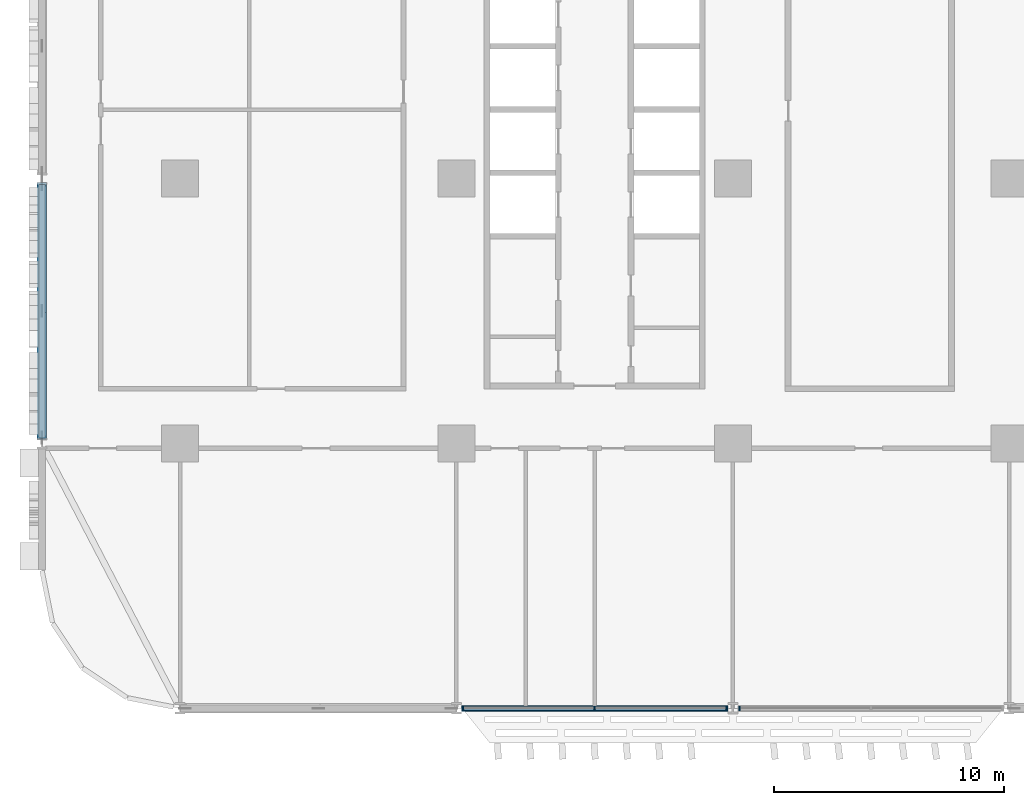
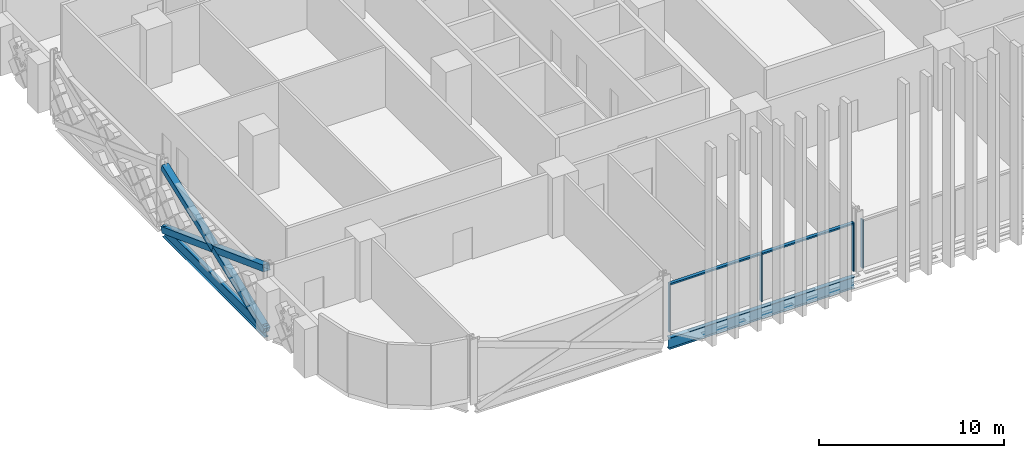
# One storey, part 2 of 29: 9 members, 2 beams, 2 elements without a shape of their own.
"""IFC4 building model written with IfcOpenShell, lengths in metres."""

from ifc_helpers import new_model, si_unit, direction, frame, origin, origin_2d, place, context, subcontext, project, spatial, rectangle, hollow_rectangle, i_section, extrude, material, material_profile, profile_set, type_object, element, aggregate, save


model = new_model("IFC4")

# Units and contexts
model_context = context("Model", 3, precision=1e-05, world=origin(), true_north=direction((0.0, 1.0)))
body_context = subcontext(model_context, "Body", "Model", "MODEL_VIEW")
ifc_project = project(units=[si_unit("LENGTHUNIT", "METRE"), si_unit("AREAUNIT", "SQUARE_METRE"), si_unit("VOLUMEUNIT", "CUBIC_METRE"), si_unit("PLANEANGLEUNIT", "RADIAN"), si_unit("MASSUNIT", "GRAM", prefix="KILO")], contexts=[model_context])

# Site, building, storey
site_placement = place(None, origin())
site = spatial("IfcSite", under=ifc_project, at=site_placement, CompositionType="ELEMENT")
building_placement = place(site_placement, origin())
building = spatial("IfcBuilding", under=site, at=building_placement, Name="Mahtab Terrace Research Tower", CompositionType="ELEMENT")
storey_placement = place(building_placement, frame((0.0, 0.0, 24.39990234375)))
storey = spatial("IfcBuildingStorey", under=building, at=storey_placement, Name="L05", CompositionType="ELEMENT", Elevation=24.39990234375)

# Members
ifc_material_1 = material(Name="Steel ASTM A500 Gr C", Category="steel")
ifc_material_profile_1 = material_profile(ifc_material_1, hollow_rectangle(XDim=0.406494140625, YDim=0.406494140625, WallThickness=0.01904296875, at=origin_2d()), Name="HSS16X16X3/4")
ifc_profile_set_1 = profile_set([ifc_material_profile_1], Name="Steel ASTM A500 Gr C")
member_type_1 = type_object("IfcMemberType", Name="HSS 16x16x3/4 brace XB161634", PredefinedType="BRACE", material=ifc_profile_set_1)
member_1_placement = place(storey_placement, frame((-48.0, -0.248779296875, -0.625244140625), z_axis=(0.0, -0.936668691391, 0.350216736563), x_axis=(1.0, 0.0, 0.0)))
element("IfcMember", 1, at=member_1_placement, inside=storey, type_object=member_type_1, Name="Exoskeleton brace L05 10 a", PredefinedType="BRACE", context=body_context, shape_type="SweptSolid", body=[
    extrude(hollow_rectangle(XDim=0.406494140625, YDim=0.406494140625, WallThickness=0.01904296875, at=origin_2d()), origin(), (0.0, 0.0, 1.0), 11.746337890625),
])
for number, where, z_axis, x_axis, name in (
    (2, (-48.0, -11.251220703125, -0.625244140625), (0.0, 0.936668691391, 0.350216736563), (-1.0, 0.0, 0.0), "Exoskeleton brace L05 10 b1"),
    (3, (-48.0, -5.75, 1.431640625), (0.0, 0.936668691391, 0.350216736563), (-1.0, 0.0, 0.0), "Exoskeleton brace L05 10 b2"),
):
    element("IfcMember", number, at=place(storey_placement, frame(where, z_axis=z_axis, x_axis=x_axis)), inside=storey, type_object=member_type_1, Name=name, PredefinedType="BRACE", context=body_context, shape_type="SweptSolid", body=[
        extrude(hollow_rectangle(XDim=0.406494140625, YDim=0.406494140625, WallThickness=0.01904296875, at=origin_2d()), origin(), (0.0, 0.0, 1.0), 5.873291015625),
    ])

# Curtain wall, members
ifc_material_2 = material(Name="Laboratory ribbon curtain wall")
curtain_wall_type = type_object("IfcCurtainWallType", Name="Laboratory ribbon curtain wall", PredefinedType="NOTDEFINED", material=ifc_material_2)
curtain_wall_1_placement = place(storey_placement, origin())
curtain_wall_1 = element("IfcCurtainWall", 4, at=curtain_wall_1_placement, inside=storey, type_object=curtain_wall_type, Name="EN.L05.13.23", PredefinedType="NOTDEFINED")
ifc_material_3 = material(Name="Natural anodised aluminium", Category="aluminium")
ifc_material_profile_2 = material_profile(ifc_material_3, rectangle(XDim=0.199951171875, YDim=0.06494140625, at=origin_2d()), Name="MULLION 65x200")
ifc_profile_set_2 = profile_set([ifc_material_profile_2], Name="Natural anodised aluminium")
member_type_2 = type_object("IfcMemberType", Name="Laboratory ribbon curtain wall mullion", PredefinedType="MULLION", material=ifc_profile_set_2)
member_2_placement = place(storey_placement, frame((-29.718505859375, -23.0, 0.0), z_axis=(0.0, 0.0, 1.0), x_axis=(0.0, 1.0, 0.0)))
member_2 = element("IfcMember", 5, at=member_2_placement, type_object=member_type_2, Name="CWL-1 mullion 1", PredefinedType="MULLION", context=body_context, shape_type="SweptSolid", body=[
    extrude(rectangle(XDim=0.199951171875, YDim=0.06494140625, at=origin_2d()), origin(), (0.0, 0.0, 1.0), 3.203125),
])
member_3_placement = place(storey_placement, frame((-24.0, -23.0, 0.0), z_axis=(0.0, 0.0, 1.0), x_axis=(0.0, 1.0, 0.0)))
member_3 = element("IfcMember", 6, at=member_3_placement, type_object=member_type_2, Name="CWL-1 mullion 2", PredefinedType="MULLION", context=body_context, shape_type="SweptSolid", body=[
    extrude(rectangle(XDim=0.199951171875, YDim=0.06494140625, at=origin_2d()), origin(), (0.0, 0.0, 1.0), 3.203125),
])
member_4_placement = place(storey_placement, frame((-18.281494140625, -23.0, 0.0), z_axis=(0.0, 0.0, 1.0), x_axis=(0.0, 1.0, 0.0)))
member_4 = element("IfcMember", 7, at=member_4_placement, type_object=member_type_2, Name="CWL-1 mullion 3", PredefinedType="MULLION", context=body_context, shape_type="SweptSolid", body=[
    extrude(rectangle(XDim=0.199951171875, YDim=0.06494140625, at=origin_2d()), origin(), (0.0, 0.0, 1.0), 3.203125),
])

# Curtain wall, member
curtain_wall_2_placement = place(storey_placement, origin())
curtain_wall_2 = element("IfcCurtainWall", 8, at=curtain_wall_2_placement, inside=storey, type_object=curtain_wall_type, Name="EN.L05.13.24", PredefinedType="NOTDEFINED")
member_5_placement = place(storey_placement, frame((-17.718505859375, -23.0, 0.0), z_axis=(0.0, 0.0, 1.0), x_axis=(0.0, 1.0, 0.0)))
member_5 = element("IfcMember", 9, at=member_5_placement, type_object=member_type_2, Name="CWL-1 mullion 1", PredefinedType="MULLION", context=body_context, shape_type="SweptSolid", body=[
    extrude(rectangle(XDim=0.199951171875, YDim=0.06494140625, at=origin_2d()), origin(), (0.0, 0.0, 1.0), 3.203125),
])
aggregate(curtain_wall_2, [member_5])

# Member
ifc_material_profile_3 = material_profile(ifc_material_3, rectangle(XDim=0.199951171875, YDim=0.10009765625, at=origin_2d()), Name="TRANSOM 100x200")
ifc_profile_set_3 = profile_set([ifc_material_profile_3], Name="Natural anodised aluminium")
member_type_3 = type_object("IfcMemberType", Name="Laboratory ribbon curtain wall transom", PredefinedType="USERDEFINED", material=ifc_profile_set_3)
member_6_placement = place(storey_placement, frame((-29.68603515625, -23.0, 3.153076171875), z_axis=(1.0, 0.0, 0.0), x_axis=(0.0, 1.0, 0.0)))
member_6 = element("IfcMember", 10, at=member_6_placement, type_object=member_type_3, Name="CWL-1 transom 1", ObjectType="TRANSOM", PredefinedType="USERDEFINED", context=body_context, shape_type="SweptSolid", body=[
    extrude(rectangle(XDim=0.199951171875, YDim=0.10009765625, at=origin_2d()), origin(), (0.0, 0.0, 1.0), 5.653564453125),
])

member_7_placement = place(storey_placement, frame((-23.967529296875, -23.0, 3.153076171875), z_axis=(1.0, 0.0, 0.0), x_axis=(0.0, 1.0, 0.0)))
member_7 = element("IfcMember", 11, at=member_7_placement, type_object=member_type_3, Name="CWL-1 transom 2", ObjectType="TRANSOM", PredefinedType="USERDEFINED", context=body_context, shape_type="SweptSolid", body=[
    extrude(rectangle(XDim=0.199951171875, YDim=0.10009765625, at=origin_2d()), origin(), (0.0, 0.0, 1.0), 5.653564453125),
])

aggregate(curtain_wall_1, [member_2, member_3, member_4, member_6, member_7])

# Beams
ifc_material_4 = material(Name="Steel ASTM A992 Gr 50", Category="steel")
ifc_material_profile_4 = material_profile(ifc_material_4, i_section(OverallWidth=0.2666015625, OverallDepth=0.7568359375, WebThickness=0.013916015625, FlangeThickness=0.019287109375, at=origin_2d()), Name="W30X108")
ifc_profile_set_4 = profile_set([ifc_material_profile_4], Name="Steel ASTM A992 Gr 50")
beam_type = type_object("IfcBeamType", Name="W30x108 beam BS30108", PredefinedType="BEAM", material=ifc_profile_set_4)
beam_1_placement = place(storey_placement, frame((-48.0, -0.248779296875, -0.71826171875), z_axis=(0.0, -1.0, 0.0), x_axis=(1.0, 0.0, 0.0)))
element("IfcBeam", 12, at=beam_1_placement, inside=storey, type_object=beam_type, Name="Spandrel beam L05 10", PredefinedType="BEAM", context=body_context, shape_type="SweptSolid", body=[
    extrude(i_section(OverallWidth=0.2666015625, OverallDepth=0.7568359375, WebThickness=0.013916015625, FlangeThickness=0.019287109375, at=origin_2d()), origin(), (0.0, 0.0, 1.0), 11.00244140625),
])
beam_2_placement = place(storey_placement, frame((-29.7841796875, -23.0, -0.71826171875), z_axis=(1.0, 0.0, 0.0), x_axis=(0.0, 1.0, 0.0)))
element("IfcBeam", 13, at=beam_2_placement, inside=storey, type_object=beam_type, Name="Spandrel beam L05 13", PredefinedType="BEAM", context=body_context, shape_type="SweptSolid", body=[
    extrude(i_section(OverallWidth=0.2666015625, OverallDepth=0.7568359375, WebThickness=0.013916015625, FlangeThickness=0.019287109375, at=origin_2d()), origin(), (0.0, 0.0, 1.0), 11.568359375),
])

save(model, "model.ifc")
